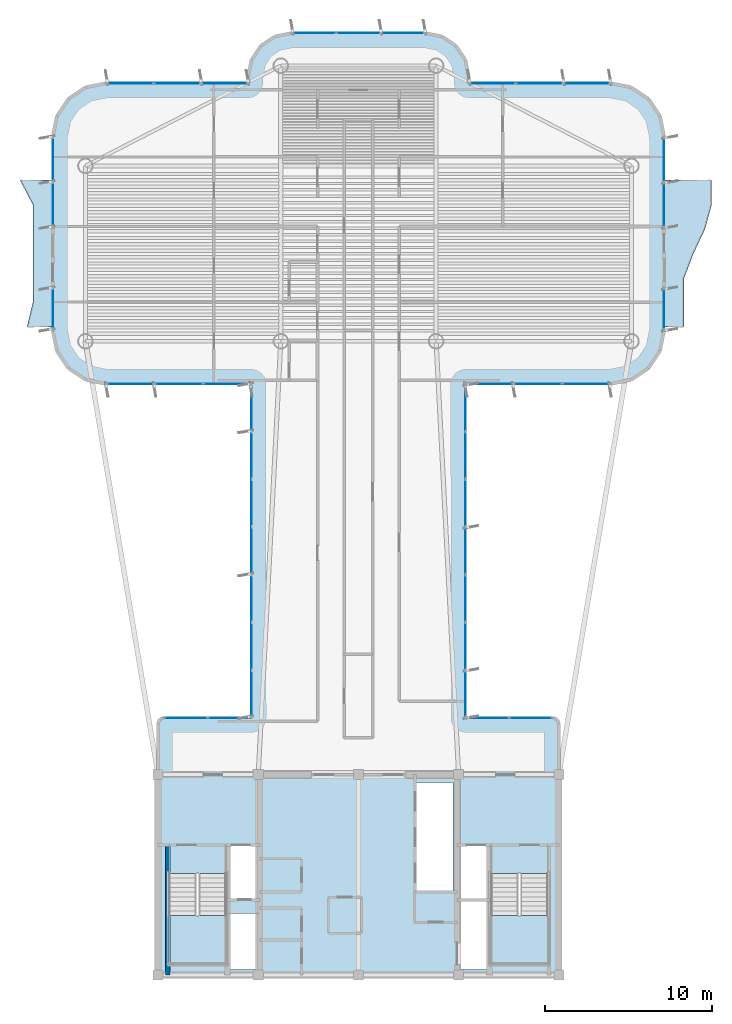
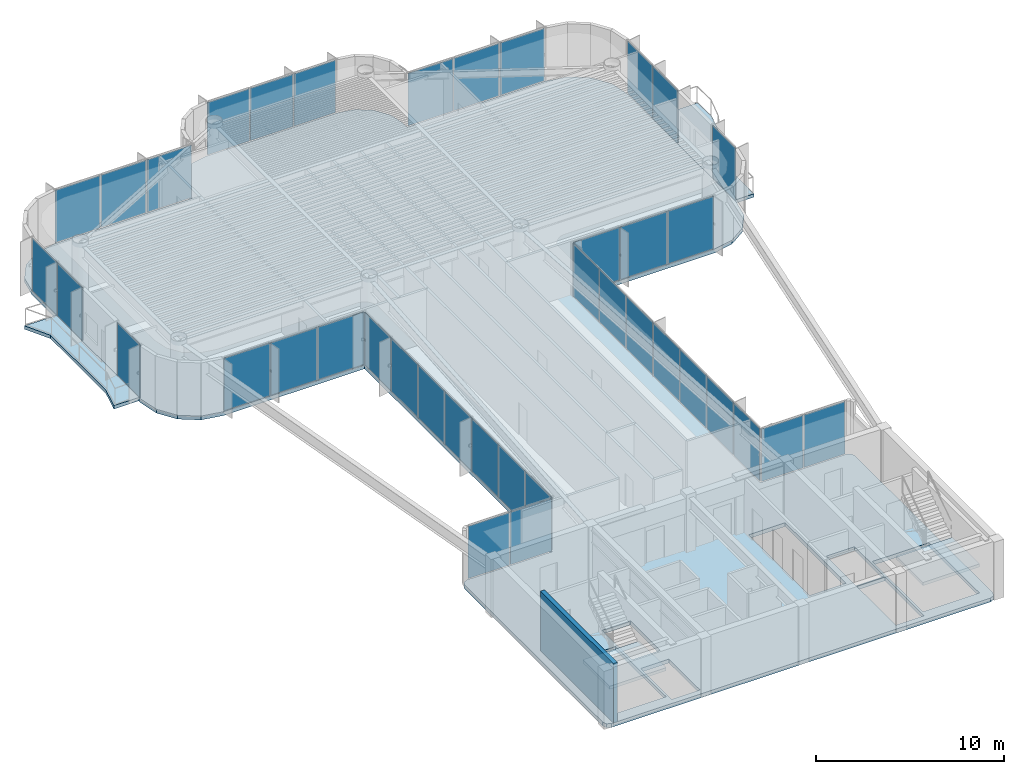
# One storey, part 9 of 15: 39 plates, 5 slabs, 1 wall, 15 elements without a shape of their own.
"""IFC4 building model written with IfcOpenShell, lengths in metres."""

import ifcopenshell
import ifcopenshell.guid

model = None  # the IFC model being written
_history = None  # IfcOwnerHistory: only IFC2X3 demands one
_inside = {}  # id of a spatial element -> (the spatial element, [elements in it])
_under = {}  # id of a project, library or spatial element -> (it, [spatial elements below it])
_declared = {}  # id of a project -> (the project, [libraries it declares])
_typed = {}  # id of a type object -> (the type object, [elements of that type])
_made_of = {}  # id of a material, layer set ... -> (it, [elements and type objects made of it])


def new_model(schema):
    """Start an empty IFC model of exactly this schema.

    Asked for "IFC4X3", IfcOpenShell would pick the latest addendum, in which some entities
    have other attributes; the version numbers below select the first issue.
    IFC2X3 requires an IfcOwnerHistory on every rooted entity: one is made here for all.
    """
    global model, _history
    if schema == "IFC4X3":
        model = ifcopenshell.file(schema_version=(4, 3, 0, 0))
    else:
        model = ifcopenshell.file(schema=schema)
    _inside.clear()
    _under.clear()
    _declared.clear()
    _typed.clear()
    _made_of.clear()
    _history = None
    if model.schema == "IFC2X3":
        org = make("IfcOrganization", Name="unknown")
        user = make(
            "IfcPersonAndOrganization",
            ThePerson=make("IfcPerson", FamilyName="unknown"),
            TheOrganization=org,
        )
        app = make(
            "IfcApplication",
            ApplicationDeveloper=org,
            Version="unknown",
            ApplicationFullName="unknown",
            ApplicationIdentifier="unknown",
        )
        _history = make(
            "IfcOwnerHistory",
            OwningUser=user,
            OwningApplication=app,
            ChangeAction="ADDED",
            CreationDate=0,
        )
    return model


def make(cls, **values):
    """One entity of the class cls with the attributes given. An attribute that is None is left unset."""
    return model.create_entity(
        cls, **{name: value for name, value in values.items() if value is not None}
    )


def rooted(cls, **values):
    """An entity with a GlobalId (a new one), such as an element, a storey or a relation."""
    return make(cls, GlobalId=ifcopenshell.guid.new(), OwnerHistory=_history, **values)


def si_unit(unit_type, name, prefix=None):
    """IfcSIUnit, for example si_unit("LENGTHUNIT", "METRE", prefix="MILLI")."""
    return make("IfcSIUnit", UnitType=unit_type, Prefix=prefix, Name=name)


def assignment(units):
    """IfcUnitAssignment: the units of a project."""
    return None if units is None else make("IfcUnitAssignment", Units=units)


def point(xyz):
    """IfcCartesianPoint."""
    return None if xyz is None else make("IfcCartesianPoint", Coordinates=xyz)


def direction(xyz):
    """IfcDirection."""
    return None if xyz is None else make("IfcDirection", DirectionRatios=xyz)


def frame(location, z_axis=None, x_axis=None):
    """IfcAxis2Placement3D, a coordinate frame: its origin and axes. An axis left out is left unset."""
    return make(
        "IfcAxis2Placement3D",
        Location=point(location),
        Axis=direction(z_axis),
        RefDirection=direction(x_axis),
    )


def frame_2d(location, x_axis=None):
    """IfcAxis2Placement2D, a coordinate frame in the plane: its origin and x axis."""
    return make(
        "IfcAxis2Placement2D", Location=point(location), RefDirection=direction(x_axis)
    )


def origin():
    """The frame at (0, 0, 0) with its axes left unset."""
    return frame((0.0, 0.0, 0.0))


def origin_2d():
    """The frame at (0, 0) in the plane with its x axis left unset."""
    return frame_2d((0.0, 0.0))


def place(relative_to, where):
    """IfcLocalPlacement: puts the frame where relative to a parent placement (None: the world)."""
    return make(
        "IfcLocalPlacement", PlacementRelTo=relative_to, RelativePlacement=where
    )


def context(
    kind, dimensions, precision=None, world=None, true_north=None, identifier=None
):
    """IfcGeometricRepresentationContext, for example the 3D "Model" context."""
    return make(
        "IfcGeometricRepresentationContext",
        ContextIdentifier=identifier,
        ContextType=kind,
        CoordinateSpaceDimension=dimensions,
        Precision=precision,
        WorldCoordinateSystem=world,
        TrueNorth=true_north,
    )


def subcontext(parent, identifier, kind, view, scale=None):
    """IfcGeometricRepresentationSubContext, for example "Body" below "Model"."""
    return make(
        "IfcGeometricRepresentationSubContext",
        ContextIdentifier=identifier,
        ContextType=kind,
        ParentContext=parent,
        TargetScale=scale,
        TargetView=view,
    )


def project(units=None, contexts=None):
    """IfcProject with its units and contexts."""
    return rooted(
        "IfcProject",
        Name="project",
        RepresentationContexts=contexts,
        UnitsInContext=assignment(units),
    )


def spatial(cls, under=None, at=None, **own):
    """A site, building, storey or space (cls), placed at a placement, below another one or the project."""
    s = rooted(cls, ObjectPlacement=at, **own)
    if under is not None:
        _under.setdefault(under.id(), (under, []))[1].append(s)
    return s


def polyline(points):
    """IfcPolyline through the points."""
    return make("IfcPolyline", Points=[point(p) for p in points])


def profile(cls, at=None, kind="AREA", **sizes):
    """A parametric profile (cls). Its sizes go by their IFC names, for example OverallWidth=200.0."""
    return make(cls, ProfileType=kind, Position=at, **sizes)


def rectangle(**sizes):
    """IfcRectangleProfileDef."""
    return profile("IfcRectangleProfileDef", **sizes)


def outline(outer, holes=None, kind="AREA"):
    """IfcArbitraryClosedProfileDef: a profile drawn as a closed curve; with holes, ...WithVoids."""
    if holes is None:
        return make("IfcArbitraryClosedProfileDef", ProfileType=kind, OuterCurve=outer)
    return make(
        "IfcArbitraryProfileDefWithVoids",
        ProfileType=kind,
        OuterCurve=outer,
        InnerCurves=holes,
    )


def extrude(swept, where, along, depth):
    """IfcExtrudedAreaSolid: the profile swept, set in the frame where, extruded along a direction by depth."""
    return make(
        "IfcExtrudedAreaSolid",
        SweptArea=swept,
        Position=where,
        ExtrudedDirection=direction(along),
        Depth=depth,
    )


def shape(context_of_items, identifier, shape_type, items):
    """IfcShapeRepresentation: the items that make up one representation, for example the "Body"."""
    return make(
        "IfcShapeRepresentation",
        ContextOfItems=context_of_items,
        RepresentationIdentifier=identifier,
        RepresentationType=shape_type,
        Items=items,
    )


def source(mapping_origin, context_of_items, identifier, shape_type, items):
    """IfcRepresentationMap: a shape defined once, which mapped items show again and again."""
    return make(
        "IfcRepresentationMap",
        MappingOrigin=mapping_origin,
        MappedRepresentation=shape(context_of_items, identifier, shape_type, items),
    )


def transform(
    local_origin,
    x_axis=None,
    y_axis=None,
    z_axis=None,
    scale=None,
    scale2=None,
    scale3=None,
    uniform=True,
):
    """IfcCartesianTransformationOperator3D, or its non-uniform kind. x_axis, y_axis, z_axis: its Axis1, 2, 3."""
    if uniform:
        return make(
            "IfcCartesianTransformationOperator3D",
            Axis1=direction(x_axis),
            Axis2=direction(y_axis),
            LocalOrigin=point(local_origin),
            Scale=scale,
            Axis3=direction(z_axis),
        )
    return make(
        "IfcCartesianTransformationOperator3DnonUniform",
        Axis1=direction(x_axis),
        Axis2=direction(y_axis),
        LocalOrigin=point(local_origin),
        Scale=scale,
        Axis3=direction(z_axis),
        Scale2=scale2,
        Scale3=scale3,
    )


def mapped(mapping_source, mapping_target):
    """IfcMappedItem: shows the shape of a source again, moved by a transform."""
    return make(
        "IfcMappedItem", MappingSource=mapping_source, MappingTarget=mapping_target
    )


def material(Name=None, Category=None):
    """IfcMaterial."""
    return make("IfcMaterial", Name=Name, Category=Category)


def layer(
    of_material, thickness, ventilated=None, Name=None, Category=None, Priority=None
):
    """IfcMaterialLayer: one layer of a wall or slab, of a material (None: an air gap)."""
    return make(
        "IfcMaterialLayer",
        Material=of_material,
        LayerThickness=thickness,
        IsVentilated=ventilated,
        Name=Name,
        Category=Category,
        Priority=Priority,
    )


def layer_set(layers, Name=None):
    """IfcMaterialLayerSet."""
    return make("IfcMaterialLayerSet", MaterialLayers=layers, LayerSetName=Name)


def made_of(thing, what):
    """Note that an element or type object is made of a material, layer set ...; save() writes the relation."""
    if what is not None:
        _made_of.setdefault(what.id(), (what, []))[1].append(thing)
    return thing


def type_object(cls, material=None, **own):
    """A type object (cls), such as IfcWallType, which elements share."""
    return made_of(rooted(cls, **own), material)


def element(
    cls,
    number,
    at=None,
    inside=None,
    cuts=None,
    type_object=None,
    material=None,
    context=None,
    identifier="Body",
    shape_type=None,
    held_by="IfcProductDefinitionShape",
    body=None,
    shapes=None,
    **own,
):
    """One element of the class cls, such as IfcWall. Its Tag is "e" and its number.

    at: its placement. inside: the storey or other place that contains it. cuts: it is an
    opening in that element (IfcRelVoidsElement). A single representation is given by context,
    identifier, shape_type and body (its items); several are given by shapes. held_by: the class
    of the entity that holds the representations. save() writes the other relations.
    """
    e = rooted(cls, Tag="e%d" % number, ObjectPlacement=at, **own)
    if body is not None:
        shapes = [shape(context, identifier, shape_type, body)]
    if shapes is not None:
        e.Representation = make(held_by, Representations=shapes)
    if inside is not None:
        _inside.setdefault(inside.id(), (inside, []))[1].append(e)
    if cuts is not None:
        rooted(
            "IfcRelVoidsElement", RelatingBuildingElement=cuts, RelatedOpeningElement=e
        )
    if type_object is not None:
        _typed.setdefault(type_object.id(), (type_object, []))[1].append(e)
    return made_of(e, material)


def aggregate(whole, parts):
    """IfcRelAggregates: a whole, such as a stair, and the parts it consists of."""
    return rooted("IfcRelAggregates", RelatingObject=whole, RelatedObjects=parts)


def save(model, path):
    """Write the relations noted so far, then the file.

    IfcRelAggregates (storeys below a building ...), IfcRelContainedInSpatialStructure (elements
    in a storey), IfcRelDefinesByType, IfcRelAssociatesMaterial and IfcRelDeclares: one each for
    every whole, place, type object, material and project.
    """
    for whole, parts in _under.values():
        aggregate(whole, parts)
    for where, things in _inside.values():
        rooted(
            "IfcRelContainedInSpatialStructure",
            RelatedElements=things,
            RelatingStructure=where,
        )
    for kind, things in _typed.values():
        rooted("IfcRelDefinesByType", RelatedObjects=things, RelatingType=kind)
    for what, things in _made_of.values():
        rooted("IfcRelAssociatesMaterial", RelatedObjects=things, RelatingMaterial=what)
    for by, libraries in _declared.values():
        rooted("IfcRelDeclares", RelatingContext=by, RelatedDefinitions=libraries)
    model.write(path)


model = new_model("IFC4")

# Units and contexts
model_context = context("Model", 3, precision=1e-05, world=origin(), true_north=direction((0.0, 1.0)))
body_context = subcontext(model_context, "Body", "Model", "MODEL_VIEW")
ifc_project = project(units=[si_unit("LENGTHUNIT", "METRE"), si_unit("AREAUNIT", "SQUARE_METRE"), si_unit("VOLUMEUNIT", "CUBIC_METRE"), si_unit("PLANEANGLEUNIT", "RADIAN"), si_unit("MASSUNIT", "GRAM", prefix="KILO")], contexts=[model_context])

# Site, building, storey
site_placement = place(None, origin())
site = spatial("IfcSite", under=ifc_project, at=site_placement, CompositionType="ELEMENT")
building_placement = place(site_placement, origin())
building = spatial("IfcBuilding", under=site, at=building_placement, Name="Brelvock Crest Care Tower", CompositionType="ELEMENT")
storey_placement = place(building_placement, frame((0.0, 0.0, 264.60009765625)))
storey = spatial("IfcBuildingStorey", under=building, at=storey_placement, Name="L67", CompositionType="ELEMENT", Elevation=264.60009765625)

# Slabs
ifc_material_1 = material(Name="Concrete N50 (50 MPa)", Category="concrete")
ifc_layer_1 = layer(ifc_material_1, 0.22998046875, Name="SLB-FL4")
ifc_layer_set_1 = layer_set([ifc_layer_1], Name="Concrete N50 (50 MPa)")
slab_type_1 = type_object("IfcSlabType", Name="SLB-FL4", PredefinedType="FLOOR", material=ifc_layer_set_1)
slab_1_placement = place(storey_placement, frame((0.0, 0.0, -0.25)))
element("IfcSlab", 1, at=slab_1_placement, inside=storey, type_object=slab_type_1, Name="L67 Main Structural Slab", PredefinedType="FLOOR", context=body_context, shape_type="SweptSolid", body=[
    extrude(outline(polyline([(47.64990234375, 21.39990234375), (42.39990234375, 21.39990234375), (42.39990234375, 41.39990234375), (51.10009765625, 41.39990234375), (52.32470703125, 41.6435546875), (53.36279296875, 42.33740234375), (54.056396484375, 43.37548828125), (54.300048828125, 44.60009765625), (54.300048828125, 56.199951171875), (54.056396484375, 57.424560546875), (53.36279296875, 58.462646484375), (52.32470703125, 59.156494140625), (51.10009765625, 59.39990234375), (42.60009765625, 59.39990234375), (42.60009765625, 59.800048828125), (42.402099609375, 60.794921875), (41.83837890625, 61.638427734375), (40.9951171875, 62.2021484375), (40.0, 62.39990234375), (32.0, 62.39990234375), (31.0048828125, 62.2021484375), (30.16162109375, 61.638427734375), (29.597900390625, 60.794921875), (29.39990234375, 59.800048828125), (29.39990234375, 59.39990234375), (20.89990234375, 59.39990234375), (19.67529296875, 59.156494140625), (18.63720703125, 58.462646484375), (17.943603515625, 57.424560546875), (17.699951171875, 56.199951171875), (17.699951171875, 44.60009765625), (17.943603515625, 43.37548828125), (18.63720703125, 42.33740234375), (19.67529296875, 41.6435546875), (20.89990234375, 41.39990234375), (29.60009765625, 41.39990234375), (29.60009765625, 21.39990234375), (24.35009765625, 21.39990234375), (24.1025390625, 21.297607421875), (24.0, 21.050048828125), (24.0, 6.35009765625), (24.1025390625, 6.1025390625), (24.35009765625, 6.0), (47.64990234375, 6.0), (47.8974609375, 6.1025390625), (48.0, 6.35009765625), (48.0, 21.050048828125), (47.8974609375, 21.297607421875), (47.64990234375, 21.39990234375)]), holes=[polyline([(28.239990234375, 10.580078125), (29.97998046875, 10.580078125), (29.97998046875, 13.739990234375), (28.239990234375, 13.739990234375), (28.239990234375, 10.580078125)]), polyline([(42.02001953125, 10.580078125), (43.760009765625, 10.580078125), (43.760009765625, 13.739990234375), (42.02001953125, 13.739990234375), (42.02001953125, 10.580078125)]), polyline([(28.239990234375, 6.340087890625), (29.97998046875, 6.340087890625), (29.97998046875, 9.64990234375), (28.239990234375, 9.64990234375), (28.239990234375, 6.340087890625)]), polyline([(24.6298828125, 12.080078125), (24.6298828125, 6.699951171875), (28.110107421875, 6.699951171875), (28.110107421875, 12.080078125), (24.6298828125, 12.080078125)]), polyline([(43.889892578125, 12.080078125), (43.889892578125, 6.699951171875), (47.3701171875, 6.699951171875), (47.3701171875, 12.080078125), (43.889892578125, 12.080078125)]), polyline([(42.02001953125, 6.340087890625), (43.760009765625, 6.340087890625), (43.760009765625, 10.5), (42.02001953125, 10.5), (42.02001953125, 6.340087890625)]), polyline([(39.429931640625, 11.030029296875), (41.669921875, 11.030029296875), (41.669921875, 17.52001953125), (39.429931640625, 17.52001953125), (39.429931640625, 11.030029296875)])]), origin(), (0.0, 0.0, 1.0), 0.25),
])
ifc_layer_2 = layer(ifc_material_1, 0.219970703125, Name="SLB-WB1")
ifc_layer_set_2 = layer_set([ifc_layer_2], Name="Concrete N50 (50 MPa)")
slab_type_2 = type_object("IfcSlabType", Name="SLB-WB1", PredefinedType="FLOOR", material=ifc_layer_set_2)
slab_2_placement = place(storey_placement, frame((0.0, 0.0, -0.22021484375)))
element("IfcSlab", 2, at=slab_2_placement, inside=storey, type_object=slab_type_2, Name="L67 W Sinusoidal Wave Balcony Slab", PredefinedType="FLOOR", context=body_context, shape_type="SweptSolid", body=[
    extrude(outline(polyline([(17.699951171875, 53.60009765625), (15.73291015625, 53.60009765625), (16.49951171875, 52.13330078125), (16.5, 50.666748046875), (16.5, 49.199951171875), (16.5, 47.7333984375), (16.5, 46.2666015625), (16.14990234375, 44.800048828125), (17.699951171875, 44.800048828125), (17.699951171875, 53.60009765625)])), origin(), (0.0, 0.0, 1.0), 0.22021484375),
])
slab_3_placement = place(storey_placement, frame((0.0, 0.0, -0.22021484375)))
element("IfcSlab", 3, at=slab_3_placement, inside=storey, type_object=slab_type_2, Name="L67 E Sinusoidal Wave Balcony Slab", PredefinedType="FLOOR", context=body_context, shape_type="SweptSolid", body=[
    extrude(outline(polyline([(54.300048828125, 44.800048828125), (55.5, 44.800048828125), (55.5, 46.2666015625), (55.5, 47.7333984375), (56.061279296875, 49.199951171875), (56.75341796875, 50.666748046875), (57.154052734375, 52.13330078125), (57.1337890625, 53.60009765625), (54.300048828125, 53.60009765625), (54.300048828125, 44.800048828125)])), origin(), (0.0, 0.0, 1.0), 0.22021484375),
])

# Stair, slab
ifc_material_2 = material(Name="Concrete N40 (40 MPa)", Category="concrete")
stair_type = type_object("IfcStairType", Name="ST-CORE1", PredefinedType="HALF_TURN_STAIR", material=ifc_material_2)
stair_1_placement = place(storey_placement, origin())
stair_1 = element("IfcStair", 4, at=stair_1_placement, inside=storey, type_object=stair_type, Name="L67 Fire-Isolated Core Stair ST-1", PredefinedType="HALF_TURN_STAIR")
ifc_layer_3 = layer(ifc_material_2, 0.199951171875, Name="STL-1")
ifc_layer_set_3 = layer_set([ifc_layer_3], Name="Concrete N40 (40 MPa)")
slab_type_3 = type_object("IfcSlabType", Name="STL-1", PredefinedType="LANDING", material=ifc_layer_set_3)
slab_4_placement = place(storey_placement, frame((0.0, 0.0, 1.68994140625)))
slab_4 = element("IfcSlab", 5, at=slab_4_placement, type_object=slab_type_3, Name="ST-1 landing 1", PredefinedType="LANDING", context=body_context, shape_type="SweptSolid", body=[
    extrude(outline(polyline([(24.6298828125, 9.56005859375), (24.6298828125, 6.699951171875), (28.110107421875, 6.699951171875), (28.110107421875, 9.56005859375), (24.6298828125, 9.56005859375)])), origin(), (0.0, 0.0, 1.0), 0.199951171875),
])
aggregate(stair_1, [slab_4])

stair_2_placement = place(storey_placement, origin())
stair_2 = element("IfcStair", 6, at=stair_2_placement, inside=storey, type_object=stair_type, Name="L67 Fire-Isolated Core Stair ST-2", PredefinedType="HALF_TURN_STAIR")
slab_5_placement = place(storey_placement, frame((0.0, 0.0, 1.68994140625)))
slab_5 = element("IfcSlab", 7, at=slab_5_placement, type_object=slab_type_3, Name="ST-2 landing 1", PredefinedType="LANDING", context=body_context, shape_type="SweptSolid", body=[
    extrude(outline(polyline([(43.889892578125, 9.56005859375), (43.889892578125, 6.699951171875), (47.3701171875, 6.699951171875), (47.3701171875, 9.56005859375), (43.889892578125, 9.56005859375)])), origin(), (0.0, 0.0, 1.0), 0.199951171875),
])
aggregate(stair_2, [slab_5])

# Curtain wall, plates
ifc_material_3 = material(Name="Dark Glass Double Glazed Low-E", Category="glass")
ifc_layer_4 = layer(ifc_material_3, 0.239990234375, Name="CWS-5")
ifc_layer_set_4 = layer_set([ifc_layer_4], Name="Dark Glass Double Glazed Low-E")
curtain_wall_type = type_object("IfcCurtainWallType", Name="CWS-5", PredefinedType="NOTDEFINED", material=ifc_layer_set_4)
curtain_wall_1_placement = place(storey_placement, origin())
curtain_wall_1 = element("IfcCurtainWall", 8, at=curtain_wall_1_placement, inside=storey, type_object=curtain_wall_type, Name="L67 Curtain Wall E10", PredefinedType="NOTDEFINED")
ifc_layer_5 = layer(ifc_material_3, 0.0380859375, Name="CWP-V2")
ifc_layer_set_5 = layer_set([ifc_layer_5], Name="Dark Glass Double Glazed Low-E")
plate_type = type_object("IfcPlateType", Name="CWP-V2", PredefinedType="CURTAIN_PANEL", material=ifc_layer_set_5)
shared_shape_1 = source(origin(), body_context, "Body", "SweptSolid", [
    extrude(rectangle(XDim=2.534912109375, YDim=0.035888671875, at=origin_2d()), origin(), (0.0, 0.0, 1.0), 3.409912109375),
])
plate_1_placement = place(storey_placement, frame((25.677490234375, 21.39990234375, 0.06005859375), z_axis=(0.0, 0.0, 1.0), x_axis=(1.0, 0.0, 0.0)))
plate_1 = element("IfcPlate", 9, at=plate_1_placement, type_object=plate_type, Name="CW-5 panel 1.1", PredefinedType="CURTAIN_PANEL", context=body_context, shape_type="MappedRepresentation", body=[
    mapped(shared_shape_1, transform((0.0, 0.0, 0.0), x_axis=(1.0, 0.0, 0.0), y_axis=(0.0, 1.0, 0.0), z_axis=(0.0, 0.0, 1.0), scale=1.0)),
])
plate_2_placement = place(storey_placement, frame((28.2724609375, 21.39990234375, 0.06005859375), z_axis=(0.0, 0.0, 1.0), x_axis=(1.0, 0.0, 0.0)))
plate_2 = element("IfcPlate", 10, at=plate_2_placement, type_object=plate_type, Name="CW-5 panel 2.1", PredefinedType="CURTAIN_PANEL", context=body_context, shape_type="MappedRepresentation", body=[
    mapped(shared_shape_1, transform((0.0, 0.0, 0.0), x_axis=(1.0, 0.0, 0.0), y_axis=(0.0, 1.0, 0.0), z_axis=(0.0, 0.0, 1.0), scale=1.0)),
])
aggregate(curtain_wall_1, [plate_1, plate_2])

curtain_wall_2_placement = place(storey_placement, origin())
curtain_wall_2 = element("IfcCurtainWall", 11, at=curtain_wall_2_placement, inside=storey, type_object=curtain_wall_type, Name="L67 Curtain Wall E46", PredefinedType="NOTDEFINED")
plate_3_placement = place(storey_placement, frame((43.7275390625, 21.39990234375, 0.06005859375), z_axis=(0.0, 0.0, 1.0), x_axis=(1.0, 0.0, 0.0)))
plate_3 = element("IfcPlate", 12, at=plate_3_placement, type_object=plate_type, Name="CW-5 panel 1.1", PredefinedType="CURTAIN_PANEL", context=body_context, shape_type="MappedRepresentation", body=[
    mapped(shared_shape_1, transform((0.0, 0.0, 0.0), x_axis=(1.0, 0.0, 0.0), y_axis=(0.0, 1.0, 0.0), z_axis=(0.0, 0.0, 1.0), scale=1.0)),
])
plate_4_placement = place(storey_placement, frame((46.322509765625, 21.39990234375, 0.06005859375), z_axis=(0.0, 0.0, 1.0), x_axis=(1.0, 0.0, 0.0)))
plate_4 = element("IfcPlate", 13, at=plate_4_placement, type_object=plate_type, Name="CW-5 panel 2.1", PredefinedType="CURTAIN_PANEL", context=body_context, shape_type="MappedRepresentation", body=[
    mapped(shared_shape_1, transform((0.0, 0.0, 0.0), x_axis=(1.0, 0.0, 0.0), y_axis=(0.0, 1.0, 0.0), z_axis=(0.0, 0.0, 1.0), scale=1.0)),
])
aggregate(curtain_wall_2, [plate_3, plate_4])

curtain_wall_3_placement = place(storey_placement, origin())
curtain_wall_3 = element("IfcCurtainWall", 14, at=curtain_wall_3_placement, inside=storey, type_object=curtain_wall_type, Name="L67 Curtain Wall E11", PredefinedType="NOTDEFINED")
shared_shape_2 = source(origin(), body_context, "Body", "SweptSolid", [
    extrude(rectangle(XDim=2.76708984375, YDim=0.035888671875, at=origin_2d()), origin(), (0.0, 0.0, 1.0), 3.409912109375),
])
plate_5_placement = place(storey_placement, frame((29.60009765625, 22.843505859375, 0.06005859375), z_axis=(0.0, 0.0, 1.0), x_axis=(0.0, 1.0, 0.0)))
plate_5 = element("IfcPlate", 15, at=plate_5_placement, type_object=plate_type, Name="CW-5 panel 1.1", PredefinedType="CURTAIN_PANEL", context=body_context, shape_type="MappedRepresentation", body=[
    mapped(shared_shape_2, transform((0.0, 0.0, 0.0), x_axis=(1.0, 0.0, 0.0), y_axis=(0.0, 1.0, 0.0), z_axis=(0.0, 0.0, 1.0), scale=1.0)),
])
plate_6_placement = place(storey_placement, frame((29.60009765625, 39.95654296875, 0.06005859375), z_axis=(0.0, 0.0, 1.0), x_axis=(0.0, 1.0, 0.0)))
plate_6 = element("IfcPlate", 16, at=plate_6_placement, type_object=plate_type, Name="CW-5 panel 7.1", PredefinedType="CURTAIN_PANEL", context=body_context, shape_type="MappedRepresentation", body=[
    mapped(shared_shape_2, transform((0.0, 0.0, 0.0), x_axis=(1.0, 0.0, 0.0), y_axis=(0.0, 1.0, 0.0), z_axis=(0.0, 0.0, 1.0), scale=1.0)),
])

curtain_wall_4_placement = place(storey_placement, origin())
curtain_wall_4 = element("IfcCurtainWall", 17, at=curtain_wall_4_placement, inside=storey, type_object=curtain_wall_type, Name="L67 Curtain Wall E45", PredefinedType="NOTDEFINED")
plate_7_placement = place(storey_placement, frame((42.39990234375, 39.95654296875, 0.06005859375), z_axis=(0.0, 0.0, 1.0), x_axis=(0.0, -1.0, 0.0)))
plate_7 = element("IfcPlate", 18, at=plate_7_placement, type_object=plate_type, Name="CW-5 panel 1.1", PredefinedType="CURTAIN_PANEL", context=body_context, shape_type="MappedRepresentation", body=[
    mapped(shared_shape_2, transform((0.0, 0.0, 0.0), x_axis=(1.0, 0.0, 0.0), y_axis=(0.0, 1.0, 0.0), z_axis=(0.0, 0.0, 1.0), scale=1.0)),
])
plate_8_placement = place(storey_placement, frame((42.39990234375, 22.843505859375, 0.06005859375), z_axis=(0.0, 0.0, 1.0), x_axis=(0.0, -1.0, 0.0)))
plate_8 = element("IfcPlate", 19, at=plate_8_placement, type_object=plate_type, Name="CW-5 panel 7.1", PredefinedType="CURTAIN_PANEL", context=body_context, shape_type="MappedRepresentation", body=[
    mapped(shared_shape_2, transform((0.0, 0.0, 0.0), x_axis=(1.0, 0.0, 0.0), y_axis=(0.0, 1.0, 0.0), z_axis=(0.0, 0.0, 1.0), scale=1.0)),
])

# Plate
shared_shape_3 = source(origin(), body_context, "Body", "SweptSolid", [
    extrude(rectangle(XDim=2.797119140625, YDim=0.035888671875, at=origin_2d()), origin(), (0.0, 0.0, 1.0), 3.409912109375),
])
plate_9_placement = place(storey_placement, frame((29.60009765625, 25.685791015625, 0.06005859375), z_axis=(0.0, 0.0, 1.0), x_axis=(0.0, 1.0, 0.0)))
plate_9 = element("IfcPlate", 20, at=plate_9_placement, type_object=plate_type, Name="CW-5 panel 2.1", PredefinedType="CURTAIN_PANEL", context=body_context, shape_type="MappedRepresentation", body=[
    mapped(shared_shape_3, transform((0.0, 0.0, 0.0), x_axis=(1.0, 0.0, 0.0), y_axis=(0.0, 1.0, 0.0), z_axis=(0.0, 0.0, 1.0), scale=1.0)),
])

plate_10_placement = place(storey_placement, frame((29.60009765625, 28.54296875, 0.06005859375), z_axis=(0.0, 0.0, 1.0), x_axis=(0.0, 1.0, 0.0)))
plate_10 = element("IfcPlate", 21, at=plate_10_placement, type_object=plate_type, Name="CW-5 panel 3.1", PredefinedType="CURTAIN_PANEL", context=body_context, shape_type="MappedRepresentation", body=[
    mapped(shared_shape_3, transform((0.0, 0.0, 0.0), x_axis=(1.0, 0.0, 0.0), y_axis=(0.0, 1.0, 0.0), z_axis=(0.0, 0.0, 1.0), scale=1.0)),
])

plate_11_placement = place(storey_placement, frame((29.60009765625, 31.39990234375, 0.06005859375), z_axis=(0.0, 0.0, 1.0), x_axis=(0.0, 1.0, 0.0)))
plate_11 = element("IfcPlate", 22, at=plate_11_placement, type_object=plate_type, Name="CW-5 panel 4.1", PredefinedType="CURTAIN_PANEL", context=body_context, shape_type="MappedRepresentation", body=[
    mapped(shared_shape_3, transform((0.0, 0.0, 0.0), x_axis=(1.0, 0.0, 0.0), y_axis=(0.0, 1.0, 0.0), z_axis=(0.0, 0.0, 1.0), scale=1.0)),
])

plate_12_placement = place(storey_placement, frame((29.60009765625, 34.257080078125, 0.06005859375), z_axis=(0.0, 0.0, 1.0), x_axis=(0.0, 1.0, 0.0)))
plate_12 = element("IfcPlate", 23, at=plate_12_placement, type_object=plate_type, Name="CW-5 panel 5.1", PredefinedType="CURTAIN_PANEL", context=body_context, shape_type="MappedRepresentation", body=[
    mapped(shared_shape_3, transform((0.0, 0.0, 0.0), x_axis=(1.0, 0.0, 0.0), y_axis=(0.0, 1.0, 0.0), z_axis=(0.0, 0.0, 1.0), scale=1.0)),
])

plate_13_placement = place(storey_placement, frame((29.60009765625, 37.1142578125, 0.06005859375), z_axis=(0.0, 0.0, 1.0), x_axis=(0.0, 1.0, 0.0)))
plate_13 = element("IfcPlate", 24, at=plate_13_placement, type_object=plate_type, Name="CW-5 panel 6.1", PredefinedType="CURTAIN_PANEL", context=body_context, shape_type="MappedRepresentation", body=[
    mapped(shared_shape_3, transform((0.0, 0.0, 0.0), x_axis=(1.0, 0.0, 0.0), y_axis=(0.0, 1.0, 0.0), z_axis=(0.0, 0.0, 1.0), scale=1.0)),
])

aggregate(curtain_wall_3, [plate_5, plate_9, plate_10, plate_11, plate_12, plate_13, plate_6])

plate_14_placement = place(storey_placement, frame((42.39990234375, 37.1142578125, 0.06005859375), z_axis=(0.0, 0.0, 1.0), x_axis=(0.0, -1.0, 0.0)))
plate_14 = element("IfcPlate", 25, at=plate_14_placement, type_object=plate_type, Name="CW-5 panel 2.1", PredefinedType="CURTAIN_PANEL", context=body_context, shape_type="MappedRepresentation", body=[
    mapped(shared_shape_3, transform((0.0, 0.0, 0.0), x_axis=(1.0, 0.0, 0.0), y_axis=(0.0, 1.0, 0.0), z_axis=(0.0, 0.0, 1.0), scale=1.0)),
])

plate_15_placement = place(storey_placement, frame((42.39990234375, 34.257080078125, 0.06005859375), z_axis=(0.0, 0.0, 1.0), x_axis=(0.0, -1.0, 0.0)))
plate_15 = element("IfcPlate", 26, at=plate_15_placement, type_object=plate_type, Name="CW-5 panel 3.1", PredefinedType="CURTAIN_PANEL", context=body_context, shape_type="MappedRepresentation", body=[
    mapped(shared_shape_3, transform((0.0, 0.0, 0.0), x_axis=(1.0, 0.0, 0.0), y_axis=(0.0, 1.0, 0.0), z_axis=(0.0, 0.0, 1.0), scale=1.0)),
])

plate_16_placement = place(storey_placement, frame((42.39990234375, 31.39990234375, 0.06005859375), z_axis=(0.0, 0.0, 1.0), x_axis=(0.0, -1.0, 0.0)))
plate_16 = element("IfcPlate", 27, at=plate_16_placement, type_object=plate_type, Name="CW-5 panel 4.1", PredefinedType="CURTAIN_PANEL", context=body_context, shape_type="MappedRepresentation", body=[
    mapped(shared_shape_3, transform((0.0, 0.0, 0.0), x_axis=(1.0, 0.0, 0.0), y_axis=(0.0, 1.0, 0.0), z_axis=(0.0, 0.0, 1.0), scale=1.0)),
])

plate_17_placement = place(storey_placement, frame((42.39990234375, 28.54296875, 0.06005859375), z_axis=(0.0, 0.0, 1.0), x_axis=(0.0, -1.0, 0.0)))
plate_17 = element("IfcPlate", 28, at=plate_17_placement, type_object=plate_type, Name="CW-5 panel 5.1", PredefinedType="CURTAIN_PANEL", context=body_context, shape_type="MappedRepresentation", body=[
    mapped(shared_shape_3, transform((0.0, 0.0, 0.0), x_axis=(1.0, 0.0, 0.0), y_axis=(0.0, 1.0, 0.0), z_axis=(0.0, 0.0, 1.0), scale=1.0)),
])

plate_18_placement = place(storey_placement, frame((42.39990234375, 25.685791015625, 0.06005859375), z_axis=(0.0, 0.0, 1.0), x_axis=(0.0, -1.0, 0.0)))
plate_18 = element("IfcPlate", 29, at=plate_18_placement, type_object=plate_type, Name="CW-5 panel 6.1", PredefinedType="CURTAIN_PANEL", context=body_context, shape_type="MappedRepresentation", body=[
    mapped(shared_shape_3, transform((0.0, 0.0, 0.0), x_axis=(1.0, 0.0, 0.0), y_axis=(0.0, 1.0, 0.0), z_axis=(0.0, 0.0, 1.0), scale=1.0)),
])

aggregate(curtain_wall_4, [plate_7, plate_14, plate_15, plate_16, plate_17, plate_18, plate_8])

# Curtain wall, plates
curtain_wall_5_placement = place(storey_placement, origin())
curtain_wall_5 = element("IfcCurtainWall", 30, at=curtain_wall_5_placement, inside=storey, type_object=curtain_wall_type, Name="L67 Curtain Wall E12", PredefinedType="NOTDEFINED")
shared_shape_4 = source(origin(), body_context, "Body", "SweptSolid", [
    extrude(rectangle(XDim=2.81005859375, YDim=0.035888671875, at=origin_2d()), origin(), (0.0, 0.0, 1.0), 3.409912109375),
])
plate_19_placement = place(storey_placement, frame((28.135009765625, 41.39990234375, 0.06005859375), z_axis=(0.0, 0.0, 1.0), x_axis=(-1.0, 0.0, 0.0)))
plate_19 = element("IfcPlate", 31, at=plate_19_placement, type_object=plate_type, Name="CW-5 panel 1.1", PredefinedType="CURTAIN_PANEL", context=body_context, shape_type="MappedRepresentation", body=[
    mapped(shared_shape_4, transform((0.0, 0.0, 0.0), x_axis=(1.0, 0.0, 0.0), y_axis=(0.0, 1.0, 0.0), z_axis=(0.0, 0.0, 1.0), scale=1.0)),
])
plate_20_placement = place(storey_placement, frame((22.364990234375, 41.39990234375, 0.06005859375), z_axis=(0.0, 0.0, 1.0), x_axis=(-1.0, 0.0, 0.0)))
plate_20 = element("IfcPlate", 32, at=plate_20_placement, type_object=plate_type, Name="CW-5 panel 3.1", PredefinedType="CURTAIN_PANEL", context=body_context, shape_type="MappedRepresentation", body=[
    mapped(shared_shape_4, transform((0.0, 0.0, 0.0), x_axis=(1.0, 0.0, 0.0), y_axis=(0.0, 1.0, 0.0), z_axis=(0.0, 0.0, 1.0), scale=1.0)),
])

curtain_wall_6_placement = place(storey_placement, origin())
curtain_wall_6 = element("IfcCurtainWall", 33, at=curtain_wall_6_placement, inside=storey, type_object=curtain_wall_type, Name="L67 Curtain Wall E44", PredefinedType="NOTDEFINED")
plate_21_placement = place(storey_placement, frame((49.635009765625, 41.39990234375, 0.06005859375), z_axis=(0.0, 0.0, 1.0), x_axis=(-1.0, 0.0, 0.0)))
plate_21 = element("IfcPlate", 34, at=plate_21_placement, type_object=plate_type, Name="CW-5 panel 1.1", PredefinedType="CURTAIN_PANEL", context=body_context, shape_type="MappedRepresentation", body=[
    mapped(shared_shape_4, transform((0.0, 0.0, 0.0), x_axis=(1.0, 0.0, 0.0), y_axis=(0.0, 1.0, 0.0), z_axis=(0.0, 0.0, 1.0), scale=1.0)),
])
plate_22_placement = place(storey_placement, frame((43.864990234375, 41.39990234375, 0.06005859375), z_axis=(0.0, 0.0, 1.0), x_axis=(-1.0, 0.0, 0.0)))
plate_22 = element("IfcPlate", 35, at=plate_22_placement, type_object=plate_type, Name="CW-5 panel 3.1", PredefinedType="CURTAIN_PANEL", context=body_context, shape_type="MappedRepresentation", body=[
    mapped(shared_shape_4, transform((0.0, 0.0, 0.0), x_axis=(1.0, 0.0, 0.0), y_axis=(0.0, 1.0, 0.0), z_axis=(0.0, 0.0, 1.0), scale=1.0)),
])

# Plate
shared_shape_5 = source(origin(), body_context, "Body", "SweptSolid", [
    extrude(rectangle(XDim=2.840087890625, YDim=0.035888671875, at=origin_2d()), origin(), (0.0, 0.0, 1.0), 3.409912109375),
])
plate_23_placement = place(storey_placement, frame((25.25, 41.39990234375, 0.06005859375), z_axis=(0.0, 0.0, 1.0), x_axis=(-1.0, 0.0, 0.0)))
plate_23 = element("IfcPlate", 36, at=plate_23_placement, type_object=plate_type, Name="CW-5 panel 2.1", PredefinedType="CURTAIN_PANEL", context=body_context, shape_type="MappedRepresentation", body=[
    mapped(shared_shape_5, transform((0.0, 0.0, 0.0), x_axis=(1.0, 0.0, 0.0), y_axis=(0.0, 1.0, 0.0), z_axis=(0.0, 0.0, 1.0), scale=1.0)),
])

aggregate(curtain_wall_5, [plate_19, plate_23, plate_20])

plate_24_placement = place(storey_placement, frame((46.75, 41.39990234375, 0.06005859375), z_axis=(0.0, 0.0, 1.0), x_axis=(-1.0, 0.0, 0.0)))
plate_24 = element("IfcPlate", 37, at=plate_24_placement, type_object=plate_type, Name="CW-5 panel 2.1", PredefinedType="CURTAIN_PANEL", context=body_context, shape_type="MappedRepresentation", body=[
    mapped(shared_shape_5, transform((0.0, 0.0, 0.0), x_axis=(1.0, 0.0, 0.0), y_axis=(0.0, 1.0, 0.0), z_axis=(0.0, 0.0, 1.0), scale=1.0)),
])

aggregate(curtain_wall_6, [plate_21, plate_24, plate_22])

# Curtain wall, plates
curtain_wall_7_placement = place(storey_placement, origin())
curtain_wall_7 = element("IfcCurtainWall", 38, at=curtain_wall_7_placement, inside=storey, type_object=curtain_wall_type, Name="L67 Curtain Wall E22", PredefinedType="NOTDEFINED")
shared_shape_6 = source(origin(), body_context, "Body", "SweptSolid", [
    extrude(rectangle(XDim=2.743408203125, YDim=0.035888671875, at=origin_2d()), origin(), (0.0, 0.0, 1.0), 3.409912109375),
])
plate_25_placement = place(storey_placement, frame((22.331787109375, 59.39990234375, 0.06005859375), z_axis=(0.0, 0.0, 1.0), x_axis=(1.0, 0.0, 0.0)))
plate_25 = element("IfcPlate", 39, at=plate_25_placement, type_object=plate_type, Name="CW-5 panel 1.1", PredefinedType="CURTAIN_PANEL", context=body_context, shape_type="MappedRepresentation", body=[
    mapped(shared_shape_6, transform((0.0, 0.0, 0.0), x_axis=(1.0, 0.0, 0.0), y_axis=(0.0, 1.0, 0.0), z_axis=(0.0, 0.0, 1.0), scale=1.0)),
])
plate_26_placement = place(storey_placement, frame((27.96826171875, 59.39990234375, 0.06005859375), z_axis=(0.0, 0.0, 1.0), x_axis=(1.0, 0.0, 0.0)))
plate_26 = element("IfcPlate", 40, at=plate_26_placement, type_object=plate_type, Name="CW-5 panel 3.1", PredefinedType="CURTAIN_PANEL", context=body_context, shape_type="MappedRepresentation", body=[
    mapped(shared_shape_6, transform((0.0, 0.0, 0.0), x_axis=(1.0, 0.0, 0.0), y_axis=(0.0, 1.0, 0.0), z_axis=(0.0, 0.0, 1.0), scale=1.0)),
])

curtain_wall_8_placement = place(storey_placement, origin())
curtain_wall_8 = element("IfcCurtainWall", 41, at=curtain_wall_8_placement, inside=storey, type_object=curtain_wall_type, Name="L67 Curtain Wall E34", PredefinedType="NOTDEFINED")
plate_27_placement = place(storey_placement, frame((44.03173828125, 59.39990234375, 0.06005859375), z_axis=(0.0, 0.0, 1.0), x_axis=(1.0, 0.0, 0.0)))
plate_27 = element("IfcPlate", 42, at=plate_27_placement, type_object=plate_type, Name="CW-5 panel 1.1", PredefinedType="CURTAIN_PANEL", context=body_context, shape_type="MappedRepresentation", body=[
    mapped(shared_shape_6, transform((0.0, 0.0, 0.0), x_axis=(1.0, 0.0, 0.0), y_axis=(0.0, 1.0, 0.0), z_axis=(0.0, 0.0, 1.0), scale=1.0)),
])
plate_28_placement = place(storey_placement, frame((49.668212890625, 59.39990234375, 0.06005859375), z_axis=(0.0, 0.0, 1.0), x_axis=(1.0, 0.0, 0.0)))
plate_28 = element("IfcPlate", 43, at=plate_28_placement, type_object=plate_type, Name="CW-5 panel 3.1", PredefinedType="CURTAIN_PANEL", context=body_context, shape_type="MappedRepresentation", body=[
    mapped(shared_shape_6, transform((0.0, 0.0, 0.0), x_axis=(1.0, 0.0, 0.0), y_axis=(0.0, 1.0, 0.0), z_axis=(0.0, 0.0, 1.0), scale=1.0)),
])

# Plate
shared_shape_7 = source(origin(), body_context, "Body", "SweptSolid", [
    extrude(rectangle(XDim=2.7734375, YDim=0.035888671875, at=origin_2d()), origin(), (0.0, 0.0, 1.0), 3.409912109375),
])
plate_29_placement = place(storey_placement, frame((25.14990234375, 59.39990234375, 0.06005859375), z_axis=(0.0, 0.0, 1.0), x_axis=(1.0, 0.0, 0.0)))
plate_29 = element("IfcPlate", 44, at=plate_29_placement, type_object=plate_type, Name="CW-5 panel 2.1", PredefinedType="CURTAIN_PANEL", context=body_context, shape_type="MappedRepresentation", body=[
    mapped(shared_shape_7, transform((0.0, 0.0, 0.0), x_axis=(1.0, 0.0, 0.0), y_axis=(0.0, 1.0, 0.0), z_axis=(0.0, 0.0, 1.0), scale=1.0)),
])

aggregate(curtain_wall_7, [plate_25, plate_29, plate_26])

plate_30_placement = place(storey_placement, frame((46.85009765625, 59.39990234375, 0.06005859375), z_axis=(0.0, 0.0, 1.0), x_axis=(1.0, 0.0, 0.0)))
plate_30 = element("IfcPlate", 45, at=plate_30_placement, type_object=plate_type, Name="CW-5 panel 2.1", PredefinedType="CURTAIN_PANEL", context=body_context, shape_type="MappedRepresentation", body=[
    mapped(shared_shape_7, transform((0.0, 0.0, 0.0), x_axis=(1.0, 0.0, 0.0), y_axis=(0.0, 1.0, 0.0), z_axis=(0.0, 0.0, 1.0), scale=1.0)),
])

aggregate(curtain_wall_8, [plate_27, plate_30, plate_28])

# Curtain wall, plates
curtain_wall_9_placement = place(storey_placement, origin())
curtain_wall_9 = element("IfcCurtainWall", 46, at=curtain_wall_9_placement, inside=storey, type_object=curtain_wall_type, Name="L67 Curtain Wall E28", PredefinedType="NOTDEFINED")
shared_shape_8 = source(origin(), body_context, "Body", "SweptSolid", [
    extrude(rectangle(XDim=2.57666015625, YDim=0.035888671875, at=origin_2d()), origin(), (0.0, 0.0, 1.0), 3.409912109375),
])
plate_31_placement = place(storey_placement, frame((33.348388671875, 62.39990234375, 0.06005859375), z_axis=(0.0, 0.0, 1.0), x_axis=(1.0, 0.0, 0.0)))
plate_31 = element("IfcPlate", 47, at=plate_31_placement, type_object=plate_type, Name="CW-5 panel 1.1", PredefinedType="CURTAIN_PANEL", context=body_context, shape_type="MappedRepresentation", body=[
    mapped(shared_shape_8, transform((0.0, 0.0, 0.0), x_axis=(1.0, 0.0, 0.0), y_axis=(0.0, 1.0, 0.0), z_axis=(0.0, 0.0, 1.0), scale=1.0)),
])
plate_32_placement = place(storey_placement, frame((38.651611328125, 62.39990234375, 0.06005859375), z_axis=(0.0, 0.0, 1.0), x_axis=(1.0, 0.0, 0.0)))
plate_32 = element("IfcPlate", 48, at=plate_32_placement, type_object=plate_type, Name="CW-5 panel 3.1", PredefinedType="CURTAIN_PANEL", context=body_context, shape_type="MappedRepresentation", body=[
    mapped(shared_shape_8, transform((0.0, 0.0, 0.0), x_axis=(1.0, 0.0, 0.0), y_axis=(0.0, 1.0, 0.0), z_axis=(0.0, 0.0, 1.0), scale=1.0)),
])
shared_shape_9 = source(origin(), body_context, "Body", "SweptSolid", [
    extrude(rectangle(XDim=2.606689453125, YDim=0.035888671875, at=origin_2d()), origin(), (0.0, 0.0, 1.0), 3.409912109375),
])
plate_33_placement = place(storey_placement, frame((36.0, 62.39990234375, 0.06005859375), z_axis=(0.0, 0.0, 1.0), x_axis=(1.0, 0.0, 0.0)))
plate_33 = element("IfcPlate", 49, at=plate_33_placement, type_object=plate_type, Name="CW-5 panel 2.1", PredefinedType="CURTAIN_PANEL", context=body_context, shape_type="MappedRepresentation", body=[
    mapped(shared_shape_9, transform((0.0, 0.0, 0.0), x_axis=(1.0, 0.0, 0.0), y_axis=(0.0, 1.0, 0.0), z_axis=(0.0, 0.0, 1.0), scale=1.0)),
])
aggregate(curtain_wall_9, [plate_31, plate_33, plate_32])

# Curtain wall, plate
curtain_wall_10_placement = place(storey_placement, origin())
curtain_wall_10 = element("IfcCurtainWall", 50, at=curtain_wall_10_placement, inside=storey, type_object=curtain_wall_type, Name="L67 Curtain Wall E17A", PredefinedType="NOTDEFINED")
shared_shape_10 = source(origin(), body_context, "Body", "SweptSolid", [
    extrude(rectangle(XDim=2.429931640625, YDim=0.035888671875, at=origin_2d()), origin(), (0.0, 0.0, 1.0), 3.409912109375),
])
plate_34_placement = place(storey_placement, frame((17.699951171875, 45.875, 0.06005859375), z_axis=(0.0, 0.0, 1.0), x_axis=(0.0, 1.0, 0.0)))
plate_34 = element("IfcPlate", 51, at=plate_34_placement, type_object=plate_type, Name="CW-5 panel 1.1", PredefinedType="CURTAIN_PANEL", context=body_context, shape_type="MappedRepresentation", body=[
    mapped(shared_shape_10, transform((0.0, 0.0, 0.0), x_axis=(1.0, 0.0, 0.0), y_axis=(0.0, 1.0, 0.0), z_axis=(0.0, 0.0, 1.0), scale=1.0)),
])
aggregate(curtain_wall_10, [plate_34])

curtain_wall_11_placement = place(storey_placement, origin())
curtain_wall_11 = element("IfcCurtainWall", 52, at=curtain_wall_11_placement, inside=storey, type_object=curtain_wall_type, Name="L67 Curtain Wall E39B", PredefinedType="NOTDEFINED")
plate_35_placement = place(storey_placement, frame((54.300048828125, 45.875, 0.06005859375), z_axis=(0.0, 0.0, 1.0), x_axis=(0.0, -1.0, 0.0)))
plate_35 = element("IfcPlate", 53, at=plate_35_placement, type_object=plate_type, Name="CW-5 panel 1.1", PredefinedType="CURTAIN_PANEL", context=body_context, shape_type="MappedRepresentation", body=[
    mapped(shared_shape_10, transform((0.0, 0.0, 0.0), x_axis=(1.0, 0.0, 0.0), y_axis=(0.0, 1.0, 0.0), z_axis=(0.0, 0.0, 1.0), scale=1.0)),
])
aggregate(curtain_wall_11, [plate_35])

# Curtain wall, plates
curtain_wall_12_placement = place(storey_placement, origin())
curtain_wall_12 = element("IfcCurtainWall", 54, at=curtain_wall_12_placement, inside=storey, type_object=curtain_wall_type, Name="L67 Curtain Wall E17B", PredefinedType="NOTDEFINED")
shared_shape_11 = source(origin(), body_context, "Body", "SweptSolid", [
    extrude(rectangle(XDim=2.635009765625, YDim=0.035888671875, at=origin_2d()), origin(), (0.0, 0.0, 1.0), 3.409912109375),
])
plate_36_placement = place(storey_placement, frame((17.699951171875, 52.12744140625, 0.06005859375), z_axis=(0.0, 0.0, 1.0), x_axis=(0.0, 1.0, 0.0)))
plate_36 = element("IfcPlate", 55, at=plate_36_placement, type_object=plate_type, Name="CW-5 panel 1.1", PredefinedType="CURTAIN_PANEL", context=body_context, shape_type="MappedRepresentation", body=[
    mapped(shared_shape_11, transform((0.0, 0.0, 0.0), x_axis=(1.0, 0.0, 0.0), y_axis=(0.0, 1.0, 0.0), z_axis=(0.0, 0.0, 1.0), scale=1.0)),
])
plate_37_placement = place(storey_placement, frame((17.699951171875, 54.822509765625, 0.06005859375), z_axis=(0.0, 0.0, 1.0), x_axis=(0.0, 1.0, 0.0)))
plate_37 = element("IfcPlate", 56, at=plate_37_placement, type_object=plate_type, Name="CW-5 panel 2.1", PredefinedType="CURTAIN_PANEL", context=body_context, shape_type="MappedRepresentation", body=[
    mapped(shared_shape_11, transform((0.0, 0.0, 0.0), x_axis=(1.0, 0.0, 0.0), y_axis=(0.0, 1.0, 0.0), z_axis=(0.0, 0.0, 1.0), scale=1.0)),
])
aggregate(curtain_wall_12, [plate_36, plate_37])

curtain_wall_13_placement = place(storey_placement, origin())
curtain_wall_13 = element("IfcCurtainWall", 57, at=curtain_wall_13_placement, inside=storey, type_object=curtain_wall_type, Name="L67 Curtain Wall E39A", PredefinedType="NOTDEFINED")
plate_38_placement = place(storey_placement, frame((54.300048828125, 54.822509765625, 0.06005859375), z_axis=(0.0, 0.0, 1.0), x_axis=(0.0, -1.0, 0.0)))
plate_38 = element("IfcPlate", 58, at=plate_38_placement, type_object=plate_type, Name="CW-5 panel 1.1", PredefinedType="CURTAIN_PANEL", context=body_context, shape_type="MappedRepresentation", body=[
    mapped(shared_shape_11, transform((0.0, 0.0, 0.0), x_axis=(1.0, 0.0, 0.0), y_axis=(0.0, 1.0, 0.0), z_axis=(0.0, 0.0, 1.0), scale=1.0)),
])
plate_39_placement = place(storey_placement, frame((54.300048828125, 52.12744140625, 0.06005859375), z_axis=(0.0, 0.0, 1.0), x_axis=(0.0, -1.0, 0.0)))
plate_39 = element("IfcPlate", 59, at=plate_39_placement, type_object=plate_type, Name="CW-5 panel 2.1", PredefinedType="CURTAIN_PANEL", context=body_context, shape_type="MappedRepresentation", body=[
    mapped(shared_shape_11, transform((0.0, 0.0, 0.0), x_axis=(1.0, 0.0, 0.0), y_axis=(0.0, 1.0, 0.0), z_axis=(0.0, 0.0, 1.0), scale=1.0)),
])
aggregate(curtain_wall_13, [plate_38, plate_39])

# Wall
ifc_material_4 = material(Name="Concrete S80 (80 MPa)", Category="concrete")
ifc_layer_6 = layer(ifc_material_4, 0.25, Name="WL-CS6")
ifc_layer_set_6 = layer_set([ifc_layer_6], Name="Concrete S80 (80 MPa)")
wall_type = type_object("IfcWallType", Name="WL-CS6", PredefinedType="SHEAR", material=ifc_layer_set_6)
wall_placement = place(storey_placement, frame((24.580078125, 6.0, 0.0), z_axis=(0.0, 0.0, 1.0), x_axis=(0.0, 1.0, 0.0)))
element("IfcWall", 60, at=wall_placement, inside=storey, type_object=wall_type, Name="L67 Core Stair ST-1 West Shear Wall", PredefinedType="SHEAR", context=body_context, shape_type="SweptSolid", body=[
    extrude(rectangle(XDim=7.780029296875, YDim=0.25, at=frame_2d((3.89013671875, 0.0))), origin(), (0.0, 0.0, 1.0), 3.849853515625),
])

save(model, "model.ifc")
